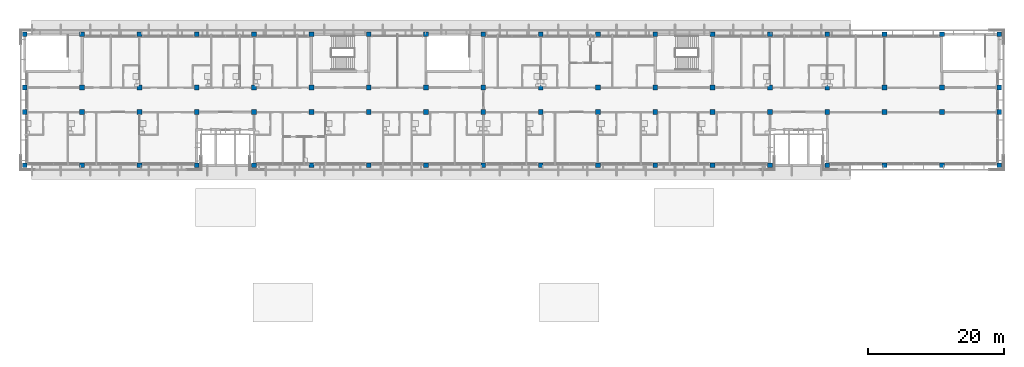
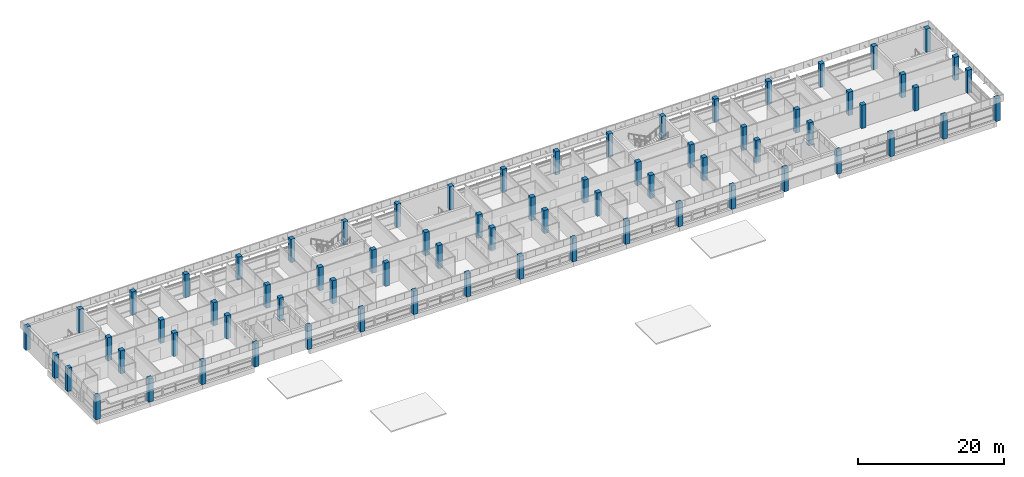
# One storey, part 1 of 36: 72 columns.
"""IFC4 building model written with IfcOpenShell, lengths in metres."""

from ifc_helpers import new_model, si_unit, direction, frame, origin, origin_2d, place, context, subcontext, project, spatial, rectangle, extrude, material, material_profile, profile_set, type_object, element, save


model = new_model("IFC4")

# Units and contexts
model_context = context("Model", 3, precision=1e-05, world=origin(), true_north=direction((0.0, 1.0)))
body_context = subcontext(model_context, "Body", "Model", "MODEL_VIEW")
ifc_project = project(units=[si_unit("LENGTHUNIT", "METRE"), si_unit("AREAUNIT", "SQUARE_METRE"), si_unit("VOLUMEUNIT", "CUBIC_METRE"), si_unit("PLANEANGLEUNIT", "RADIAN"), si_unit("MASSUNIT", "GRAM", prefix="KILO")], contexts=[model_context])

# Site, building, storey
site_placement = place(None, origin())
site = spatial("IfcSite", under=ifc_project, at=site_placement, CompositionType="ELEMENT")
building_placement = place(site_placement, origin())
building = spatial("IfcBuilding", under=site, at=building_placement, Name="Bougainvillea Quay General Hospital", CompositionType="ELEMENT")
storey_placement = place(building_placement, frame((0.0, 0.0, 32.699951171875)))
storey = spatial("IfcBuildingStorey", under=building, at=storey_placement, Name="L07", CompositionType="ELEMENT", Elevation=32.699951171875)

# Columns
ifc_material = material(Name="Concrete C40", Category="concrete")
ifc_material_profile = material_profile(ifc_material, rectangle(XDim=0.699951171875, YDim=0.699951171875, at=origin_2d()))
ifc_profile_set = profile_set([ifc_material_profile], Name="Concrete C40")
column_type = type_object("IfcColumnType", Name="RC COL 700x700 C40", PredefinedType="COLUMN", material=ifc_profile_set)
for number, where, z_axis, x_axis, name in (
    (1, (42.0, 140.39990234375, 0.0), (0.0, 0.0, 1.0), (1.0, 0.0, 0.0), "Column C-V4-004 L07"),
    (2, (42.0, 148.199951171875, 0.0), (0.0, 0.0, 1.0), (1.0, 0.0, 0.0), "Column C-V4-005 L07"),
    (3, (42.0, 151.800048828125, 0.0), (0.0, 0.0, 1.0), (1.0, 0.0, 0.0), "Column C-V4-006 L07"),
    (4, (42.0, 159.60009765625, 0.0), (0.0, 0.0, 1.0), (1.0, 0.0, 0.0), "Column C-V4-007 L07"),
    (5, (50.39990234375, 140.39990234375, 0.0), (0.0, 0.0, 1.0), (1.0, 0.0, 0.0), "Column C-V4-014 L07"),
    (6, (50.39990234375, 148.199951171875, 0.0), (0.0, 0.0, 1.0), (1.0, 0.0, 0.0), "Column C-V4-015 L07"),
    (7, (50.39990234375, 151.800048828125, 0.0), (0.0, 0.0, 1.0), (1.0, 0.0, 0.0), "Column C-V4-016 L07"),
    (8, (50.39990234375, 159.60009765625, 0.0), (0.0, 0.0, 1.0), (1.0, 0.0, 0.0), "Column C-V4-017 L07"),
    (9, (58.800048828125, 140.39990234375, 0.0), (0.0, 0.0, 1.0), (1.0, 0.0, 0.0), "Column C-V4-024 L07"),
    (10, (58.800048828125, 148.199951171875, 0.0), (0.0, 0.0, 1.0), (1.0, 0.0, 0.0), "Column C-V4-025 L07"),
    (11, (58.800048828125, 151.800048828125, 0.0), (0.0, 0.0, 1.0), (1.0, 0.0, 0.0), "Column C-V4-026 L07"),
    (12, (58.800048828125, 159.60009765625, 0.0), (0.0, 0.0, 1.0), (1.0, 0.0, 0.0), "Column C-V4-027 L07"),
    (13, (67.199951171875, 140.39990234375, 0.0), (0.0, 0.0, 1.0), (1.0, 0.0, 0.0), "Column C-V4-034 L07"),
    (14, (67.199951171875, 148.199951171875, 0.0), (0.0, 0.0, 1.0), (1.0, 0.0, 0.0), "Column C-V4-035 L07"),
    (15, (67.199951171875, 151.800048828125, 0.0), (0.0, 0.0, 1.0), (1.0, 0.0, 0.0), "Column C-V4-036 L07"),
    (16, (67.199951171875, 159.60009765625, 0.0), (0.0, 0.0, 1.0), (1.0, 0.0, 0.0), "Column C-V4-037 L07"),
    (17, (75.60009765625, 140.39990234375, 0.0), (0.0, 0.0, 1.0), (1.0, 0.0, 0.0), "Column C-V4-044 L07"),
    (18, (75.60009765625, 148.199951171875, 0.0), (0.0, 0.0, 1.0), (1.0, 0.0, 0.0), "Column C-V4-045 L07"),
    (19, (75.60009765625, 151.800048828125, 0.0), (0.0, 0.0, 1.0), (1.0, 0.0, 0.0), "Column C-V4-046 L07"),
    (20, (75.60009765625, 159.60009765625, 0.0), (0.0, 0.0, 1.0), (1.0, 0.0, 0.0), "Column C-V4-047 L07"),
    (21, (84.0, 140.39990234375, 0.0), (0.0, 0.0, 1.0), (1.0, 0.0, 0.0), "Column C-V4-054 L07"),
    (22, (84.0, 148.199951171875, 0.0), (0.0, 0.0, 1.0), (1.0, 0.0, 0.0), "Column C-V4-055 L07"),
    (23, (84.0, 151.800048828125, 0.0), (0.0, 0.0, 1.0), (1.0, 0.0, 0.0), "Column C-V4-056 L07"),
    (24, (84.0, 159.60009765625, 0.0), (0.0, 0.0, 1.0), (1.0, 0.0, 0.0), "Column C-V4-057 L07"),
    (25, (92.39990234375, 140.39990234375, 0.0), (0.0, 0.0, 1.0), (1.0, 0.0, 0.0), "Column C-V4-064 L07"),
    (26, (92.39990234375, 148.199951171875, 0.0), (0.0, 0.0, 1.0), (1.0, 0.0, 0.0), "Column C-V4-065 L07"),
    (27, (92.39990234375, 151.800048828125, 0.0), (0.0, 0.0, 1.0), (1.0, 0.0, 0.0), "Column C-V4-066 L07"),
    (28, (92.39990234375, 159.60009765625, 0.0), (0.0, 0.0, 1.0), (1.0, 0.0, 0.0), "Column C-V4-067 L07"),
    (29, (100.800048828125, 140.39990234375, 0.0), (0.0, 0.0, 1.0), (1.0, 0.0, 0.0), "Column C-V4-074 L07"),
    (30, (100.800048828125, 148.199951171875, 0.0), (0.0, 0.0, 1.0), (1.0, 0.0, 0.0), "Column C-V4-075 L07"),
    (31, (100.800048828125, 151.800048828125, 0.0), (0.0, 0.0, 1.0), (1.0, 0.0, 0.0), "Column C-V4-076 L07"),
    (32, (100.800048828125, 159.60009765625, 0.0), (0.0, 0.0, 1.0), (1.0, 0.0, 0.0), "Column C-V4-077 L07"),
    (33, (109.199951171875, 140.39990234375, 0.0), (0.0, 0.0, 1.0), (1.0, 0.0, 0.0), "Column C-V4-084 L07"),
    (34, (109.199951171875, 148.199951171875, 0.0), (0.0, 0.0, 1.0), (1.0, 0.0, 0.0), "Column C-V4-085 L07"),
    (35, (109.199951171875, 151.800048828125, 0.0), (0.0, 0.0, 1.0), (1.0, 0.0, 0.0), "Column C-V4-086 L07"),
    (36, (109.199951171875, 159.60009765625, 0.0), (0.0, 0.0, 1.0), (1.0, 0.0, 0.0), "Column C-V4-087 L07"),
    (37, (117.60009765625, 140.39990234375, 0.0), (0.0, 0.0, 1.0), (1.0, 0.0, 0.0), "Column C-V4-094 L07"),
    (38, (117.60009765625, 148.199951171875, 0.0), (0.0, 0.0, 1.0), (1.0, 0.0, 0.0), "Column C-V4-095 L07"),
    (39, (117.60009765625, 151.800048828125, 0.0), (0.0, 0.0, 1.0), (1.0, 0.0, 0.0), "Column C-V4-096 L07"),
    (40, (117.60009765625, 159.60009765625, 0.0), (0.0, 0.0, 1.0), (1.0, 0.0, 0.0), "Column C-V4-097 L07"),
    (41, (126.0, 140.39990234375, 0.0), (0.0, 0.0, 1.0), (1.0, 0.0, 0.0), "Column C-V4-104 L07"),
    (42, (126.0, 148.199951171875, 0.0), (0.0, 0.0, 1.0), (1.0, 0.0, 0.0), "Column C-V4-105 L07"),
    (43, (126.0, 151.800048828125, 0.0), (0.0, 0.0, 1.0), (1.0, 0.0, 0.0), "Column C-V4-106 L07"),
    (44, (126.0, 159.60009765625, 0.0), (0.0, 0.0, 1.0), (1.0, 0.0, 0.0), "Column C-V4-107 L07"),
    (45, (134.39990234375, 140.39990234375, 0.0), (0.0, 0.0, 1.0), (1.0, 0.0, 0.0), "Column C-V4-114 L07"),
    (46, (134.39990234375, 148.199951171875, 0.0), (0.0, 0.0, 1.0), (1.0, 0.0, 0.0), "Column C-V4-115 L07"),
    (47, (134.39990234375, 151.800048828125, 0.0), (0.0, 0.0, 1.0), (1.0, 0.0, 0.0), "Column C-V4-116 L07"),
    (48, (134.39990234375, 159.60009765625, 0.0), (0.0, 0.0, 1.0), (1.0, 0.0, 0.0), "Column C-V4-117 L07"),
    (49, (142.800048828125, 140.39990234375, 0.0), (0.0, 0.0, 1.0), (1.0, 0.0, 0.0), "Column C-V4-124 L07"),
    (50, (142.800048828125, 148.199951171875, 0.0), (0.0, 0.0, 1.0), (1.0, 0.0, 0.0), "Column C-V4-125 L07"),
    (51, (142.800048828125, 151.800048828125, 0.0), (0.0, 0.0, 1.0), (1.0, 0.0, 0.0), "Column C-V4-126 L07"),
    (52, (142.800048828125, 159.60009765625, 0.0), (0.0, 0.0, 1.0), (1.0, 0.0, 0.0), "Column C-V4-127 L07"),
    (53, (151.199951171875, 140.39990234375, 0.0), (0.0, 0.0, 1.0), (1.0, 0.0, 0.0), "Column C-V4-134 L07"),
    (54, (151.199951171875, 148.199951171875, 0.0), (0.0, 0.0, 1.0), (1.0, 0.0, 0.0), "Column C-V4-135 L07"),
    (55, (151.199951171875, 151.800048828125, 0.0), (0.0, 0.0, 1.0), (1.0, 0.0, 0.0), "Column C-V4-136 L07"),
    (56, (151.199951171875, 159.60009765625, 0.0), (0.0, 0.0, 1.0), (1.0, 0.0, 0.0), "Column C-V4-137 L07"),
    (57, (159.60009765625, 140.39990234375, 0.0), (0.0, 0.0, 1.0), (1.0, 0.0, 0.0), "Column C-V4-144 L07"),
    (58, (159.60009765625, 148.199951171875, 0.0), (0.0, 0.0, 1.0), (1.0, 0.0, 0.0), "Column C-V4-145 L07"),
    (59, (159.60009765625, 151.800048828125, 0.0), (0.0, 0.0, 1.0), (1.0, 0.0, 0.0), "Column C-V4-146 L07"),
    (60, (159.60009765625, 159.60009765625, 0.0), (0.0, 0.0, 1.0), (1.0, 0.0, 0.0), "Column C-V4-147 L07"),
    (61, (168.0, 140.39990234375, 0.0), (0.0, 0.0, 1.0), (1.0, 0.0, 0.0), "Column C-V4-154 L07"),
    (62, (168.0, 148.199951171875, 0.0), (0.0, 0.0, 1.0), (1.0, 0.0, 0.0), "Column C-V4-155 L07"),
    (63, (168.0, 151.800048828125, 0.0), (0.0, 0.0, 1.0), (1.0, 0.0, 0.0), "Column C-V4-156 L07"),
    (64, (168.0, 159.60009765625, 0.0), (0.0, 0.0, 1.0), (1.0, 0.0, 0.0), "Column C-V4-157 L07"),
    (65, (176.39990234375, 140.39990234375, 0.0), (0.0, 0.0, 1.0), (1.0, 0.0, 0.0), "Column C-V4-164 L07"),
    (66, (176.39990234375, 148.199951171875, 0.0), (0.0, 0.0, 1.0), (1.0, 0.0, 0.0), "Column C-V4-165 L07"),
    (67, (176.39990234375, 151.800048828125, 0.0), (0.0, 0.0, 1.0), (1.0, 0.0, 0.0), "Column C-V4-166 L07"),
    (68, (176.39990234375, 159.60009765625, 0.0), (0.0, 0.0, 1.0), (1.0, 0.0, 0.0), "Column C-V4-167 L07"),
    (69, (184.800048828125, 140.39990234375, 0.0), (0.0, 0.0, 1.0), (1.0, 0.0, 0.0), "Column C-V4-174 L07"),
    (70, (184.800048828125, 148.199951171875, 0.0), (0.0, 0.0, 1.0), (1.0, 0.0, 0.0), "Column C-V4-175 L07"),
    (71, (184.800048828125, 151.800048828125, 0.0), (0.0, 0.0, 1.0), (1.0, 0.0, 0.0), "Column C-V4-176 L07"),
    (72, (184.800048828125, 159.60009765625, 0.0), (0.0, 0.0, 1.0), (1.0, 0.0, 0.0), "Column C-V4-177 L07"),
):
    element("IfcColumn", number, at=place(storey_placement, frame(where, z_axis=z_axis, x_axis=x_axis)), inside=storey, type_object=column_type, Name=name, PredefinedType="COLUMN", context=body_context, shape_type="SweptSolid", body=[
        extrude(rectangle(XDim=0.699951171875, YDim=0.699951171875, at=origin_2d()), origin(), (0.0, 0.0, 1.0), 3.900146484375),
    ])

save(model, "model.ifc")
